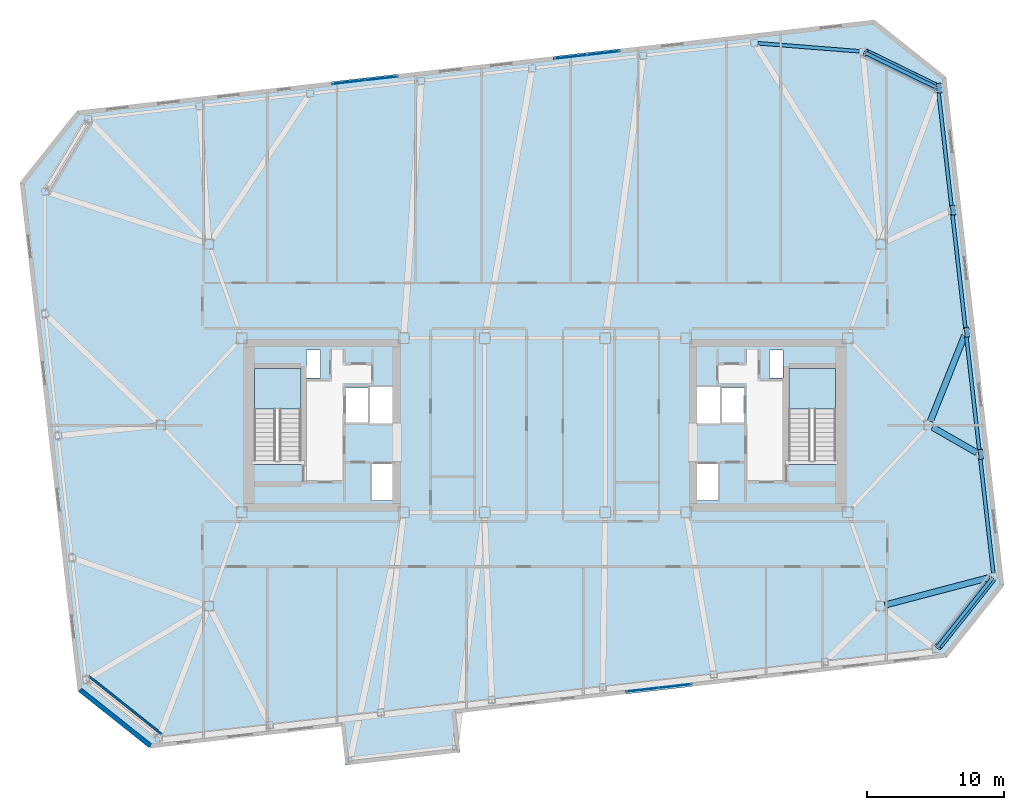
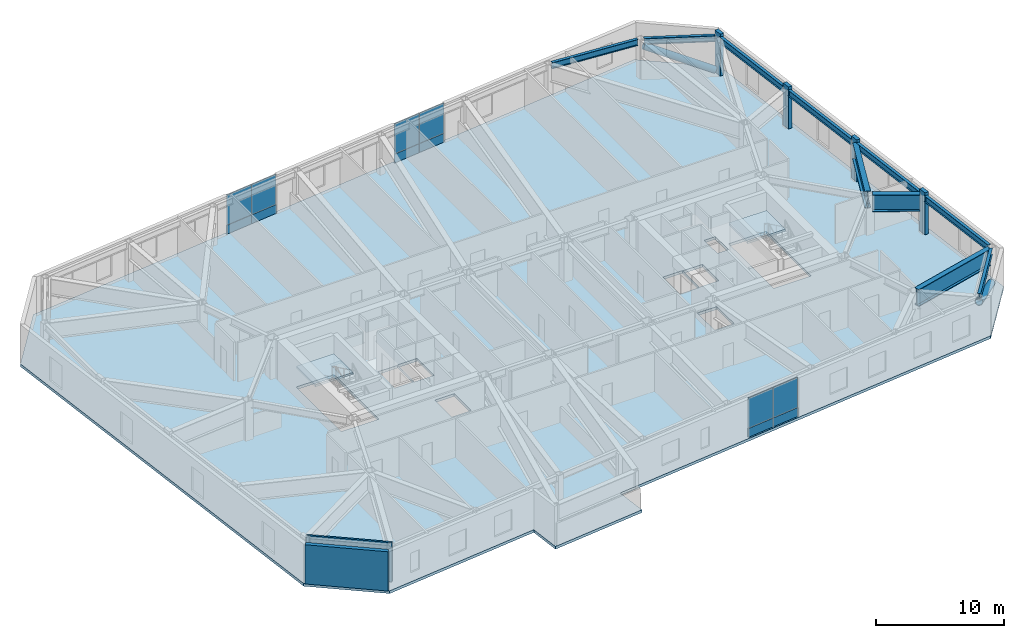
# One storey, part 10 of 18: 12 plates, 10 beams, 6 members, 3 slabs, 2 walls, 5 elements without a shape of their own.
"""IFC4 building model written with IfcOpenShell, lengths in metres."""

from ifc_helpers import new_model, si_unit, direction, frame, frame_2d, origin, origin_2d, place, context, subcontext, project, spatial, polyline, rectangle, hollow_circle, i_section, outline, extrude, material, layer, layer_set, material_profile, profile_set, type_object, element, aggregate, save


model = new_model("IFC4")

# Units and contexts
model_context = context("Model", 3, precision=1e-05, world=origin(), true_north=direction((0.0, 1.0)))
body_context = subcontext(model_context, "Body", "Model", "MODEL_VIEW")
ifc_project = project(units=[si_unit("LENGTHUNIT", "METRE"), si_unit("AREAUNIT", "SQUARE_METRE"), si_unit("VOLUMEUNIT", "CUBIC_METRE"), si_unit("PLANEANGLEUNIT", "RADIAN"), si_unit("MASSUNIT", "GRAM", prefix="KILO")], contexts=[model_context])

# Site, building, storey
site_placement = place(None, origin())
site = spatial("IfcSite", under=ifc_project, at=site_placement, CompositionType="ELEMENT")
building_placement = place(site_placement, origin())
building = spatial("IfcBuilding", under=site, at=building_placement, Name="Tavrogorsk Clinical Tower", CompositionType="ELEMENT")
storey_placement = place(building_placement, frame((0.0, 0.0, 222.199951171875)))
storey = spatial("IfcBuildingStorey", under=building, at=storey_placement, Name="L51", CompositionType="ELEMENT", Elevation=222.199951171875)

# Members
ifc_material_1 = material(Name="Structural steel S440", Category="steel")
ifc_material_profile_1 = material_profile(ifc_material_1, hollow_circle(Radius=0.304931640625, WallThickness=0.02490234375, at=origin_2d()), Name="CHS-610x25")
ifc_profile_set_1 = profile_set([ifc_material_profile_1], Name="Structural steel S440")
member_type_1 = type_object("IfcMemberType", Name="ExoBrace_CHS610", PredefinedType="BRACE", material=ifc_profile_set_1)
member_1_placement = place(storey_placement, frame((32.5859375, -11.2197265625, 0.398193359375), z_axis=(-0.575789482159, -0.723851679348, 0.380138420237), x_axis=(0.782601910855, -0.622522488852, 0.0)))
element("IfcMember", 1, at=member_1_placement, inside=storey, type_object=member_type_1, Name="L51 Corner Exoskeleton Brace S8-E1", PredefinedType="BRACE", context=body_context, shape_type="SweptSolid", body=[
    extrude(hollow_circle(Radius=0.304931640625, WallThickness=0.02490234375, at=origin_2d()), origin(), (0.0, 0.0, 1.0), 6.8232421875),
])
member_2_placement = place(storey_placement, frame((28.46630859375, 24.679443359375, 0.4072265625), z_axis=(-0.817526882464, 0.398699450942, 0.41555811178), x_axis=(-0.438340015424, -0.898809229413, 0.0)))
element("IfcMember", 2, at=member_2_placement, inside=storey, type_object=member_type_1, Name="L51 Corner Exoskeleton Brace E5-N1", PredefinedType="BRACE", context=body_context, shape_type="SweptSolid", body=[
    extrude(hollow_circle(Radius=0.304931640625, WallThickness=0.02490234375, at=origin_2d()), origin(), (0.0, 0.0, 1.0), 6.1982421875),
])
ifc_material_2 = material(Name="Precast concrete B45 with limestone cladding", Category="masonry")
ifc_material_profile_2 = material_profile(ifc_material_2, rectangle(XDim=0.320068359375, YDim=0.719970703125, at=origin_2d()), Name="LIMESTONE-FIN-320x720")
ifc_profile_set_2 = profile_set([ifc_material_profile_2], Name="Precast concrete B45 with limestone cladding")
member_type_2 = type_object("IfcMemberType", Name="LimestonePleatFin_320x720", PredefinedType="USERDEFINED", material=ifc_profile_set_2)
for number, where, z_axis, x_axis, name in (
    (3, (31.799560546875, -2.121337890625, 0.0), (0.0, 0.0, 1.0), (0.993571855677, 0.113203213768, 0.0), "L51 E Pleated Stone Fin 1"),
    (4, (30.785400390625, 6.781005859375, 0.0), (0.0, 0.0, 1.0), (0.993571855677, 0.113203213768, 0.0), "L51 E Pleated Stone Fin 2"),
    (5, (29.77099609375, 15.683349609375, 0.0), (0.0, 0.0, 1.0), (0.993571855677, 0.113203213768, 0.0), "L51 E Pleated Stone Fin 3"),
    (6, (28.756591796875, 24.585693359375, 0.0), (0.0, 0.0, 1.0), (0.993571855677, 0.113203213768, 0.0), "L51 E Pleated Stone Fin 4"),
):
    element("IfcMember", number, at=place(storey_placement, frame(where, z_axis=z_axis, x_axis=x_axis)), inside=storey, type_object=member_type_2, Name=name, ObjectType="FIN", PredefinedType="USERDEFINED", context=body_context, shape_type="SweptSolid", body=[
        extrude(rectangle(XDim=0.320068359375, YDim=0.719970703125, at=origin_2d()), origin(), (0.0, 0.0, 1.0), 4.0),
    ])

# Beams
ifc_material_3 = material(Name="Structural steel S390", Category="steel")
ifc_material_profile_3 = material_profile(ifc_material_3, i_section(OverallWidth=0.260009765625, OverallDepth=0.60009765625, WebThickness=0.014892578125, FlangeThickness=0.02392578125, at=origin_2d()), Name="B-600x260x15x24")
ifc_profile_set_3 = profile_set([ifc_material_profile_3], Name="Structural steel S390")
beam_type_1 = type_object("IfcBeamType", Name="SpandrelBeam_B600", PredefinedType="SPANDREL", material=ifc_profile_set_3)
beam_1_placement = place(storey_placement, frame((28.669189453125, -16.1435546875, 3.43994140625), z_axis=(0.622513813188, 0.782608811853, 0.0), x_axis=(-0.782608811853, 0.622513813188, 0.0)))
element("IfcBeam", 7, at=beam_1_placement, inside=storey, type_object=beam_type_1, Name="L51 Perimeter Spandrel S8-E1", PredefinedType="SPANDREL", context=body_context, shape_type="SweptSolid", body=[
    extrude(i_section(OverallWidth=0.260009765625, OverallDepth=0.60009765625, WebThickness=0.014892578125, FlangeThickness=0.02392578125, at=origin_2d()), origin(), (0.0, 0.0, 1.0), 6.272216796875),
])
for number, where, z_axis, x_axis, name in (
    (8, (32.705078125, -10.776611328125, 3.43994140625), (-0.113191877531, 0.993573147212, 0.0), (-0.993573147212, -0.113191877531, 0.0), "L51 Perimeter Spandrel E1-E2"),
    (9, (31.69091796875, -1.874267578125, 3.43994140625), (-0.113191877531, 0.993573147212, 0.0), (-0.993573147212, -0.113191877531, 0.0), "L51 Perimeter Spandrel E2-E3"),
):
    element("IfcBeam", number, at=place(storey_placement, frame(where, z_axis=z_axis, x_axis=x_axis)), inside=storey, type_object=beam_type_1, Name=name, PredefinedType="SPANDREL", context=body_context, shape_type="SweptSolid", body=[
        extrude(i_section(OverallWidth=0.260009765625, OverallDepth=0.60009765625, WebThickness=0.014892578125, FlangeThickness=0.02392578125, at=origin_2d()), origin(), (0.0, 0.0, 1.0), 8.444091796875),
    ])
for number, where, z_axis, x_axis, name in (
    (10, (30.676513671875, 7.0283203125, 3.43994140625), (-0.113195129234, 0.99357277676, 0.0), (-0.99357277676, -0.113195129234, 0.0), "L51 Perimeter Spandrel E3-E4"),
    (11, (29.662353515625, 15.9306640625, 3.43994140625), (-0.113223671813, 0.993569524563, 0.0), (-0.993569524563, -0.113223671813, 0.0), "L51 Perimeter Spandrel E4-E5"),
):
    element("IfcBeam", number, at=place(storey_placement, frame(where, z_axis=z_axis, x_axis=x_axis)), inside=storey, type_object=beam_type_1, Name=name, PredefinedType="SPANDREL", context=body_context, shape_type="SweptSolid", body=[
        extrude(i_section(OverallWidth=0.260009765625, OverallDepth=0.60009765625, WebThickness=0.014892578125, FlangeThickness=0.02392578125, at=origin_2d()), origin(), (0.0, 0.0, 1.0), 8.44384765625),
    ])
beam_2_placement = place(storey_placement, frame((28.4453125, 24.689697265625, 3.43994140625), z_axis=(-0.898811248667, 0.438335874951, 0.0), x_axis=(-0.438335874951, -0.898811248667, 0.0)))
element("IfcBeam", 12, at=beam_2_placement, inside=storey, type_object=beam_type_1, Name="L51 Perimeter Spandrel E5-N1", PredefinedType="SPANDREL", context=body_context, shape_type="SweptSolid", body=[
    extrude(i_section(OverallWidth=0.260009765625, OverallDepth=0.60009765625, WebThickness=0.014892578125, FlangeThickness=0.02392578125, at=origin_2d()), origin(), (0.0, 0.0, 1.0), 5.5908203125),
])
beam_3_placement = place(storey_placement, frame((22.930908203125, 27.273681640625, 3.43994140625), z_axis=(-0.996881705424, 0.078910489738, 0.0), x_axis=(-0.078910489738, -0.996881705424, 0.0)))
element("IfcBeam", 13, at=beam_3_placement, inside=storey, type_object=beam_type_1, Name="L51 Perimeter Spandrel N1-N2", PredefinedType="SPANDREL", context=body_context, shape_type="SweptSolid", body=[
    extrude(i_section(OverallWidth=0.260009765625, OverallDepth=0.60009765625, WebThickness=0.014892578125, FlangeThickness=0.02392578125, at=origin_2d()), origin(), (0.0, 0.0, 1.0), 7.428466796875),
])
ifc_material_4 = material(Name="Structural steel S440", Category="steel")
ifc_material_profile_4 = material_profile(ifc_material_4, i_section(OverallWidth=0.449951171875, OverallDepth=1.60009765625, WebThickness=0.031982421875, FlangeThickness=0.050048828125, at=origin_2d()), Name="DK-1600x450x32x50")
ifc_profile_set_4 = profile_set([ifc_material_profile_4], Name="Structural steel S440")
beam_type_2 = type_object("IfcBeamType", Name="TransferGirder_DK1600", PredefinedType="USERDEFINED", material=ifc_profile_set_4)
beam_4_placement = place(storey_placement, frame((24.7998046875, -13.12109375, 2.93994140625), z_axis=(0.967072149487, 0.254502372652, 0.0), x_axis=(-0.254502372652, 0.967072149487, 0.0)))
element("IfcBeam", 14, at=beam_4_placement, inside=storey, type_object=beam_type_2, Name="L51 Radial Floor Beam E1", ObjectType="GIRDER", PredefinedType="USERDEFINED", context=body_context, shape_type="SweptSolid", body=[
    extrude(i_section(OverallWidth=0.449951171875, OverallDepth=1.60009765625, WebThickness=0.031982421875, FlangeThickness=0.050048828125, at=origin_2d()), origin(), (0.0, 0.0, 1.0), 7.94677734375),
])
beam_5_placement = place(storey_placement, frame((28.26904296875, -0.154052734375, 2.93994140625), z_axis=(0.867782232017, -0.49694466271, 0.0), x_axis=(0.49694466271, 0.867782232017, 0.0)))
element("IfcBeam", 15, at=beam_5_placement, inside=storey, type_object=beam_type_2, Name="L51 Radial Floor Beam E2", ObjectType="GIRDER", PredefinedType="USERDEFINED", context=body_context, shape_type="SweptSolid", body=[
    extrude(i_section(OverallWidth=0.449951171875, OverallDepth=1.60009765625, WebThickness=0.031982421875, FlangeThickness=0.050048828125, at=origin_2d()), origin(), (0.0, 0.0, 1.0), 3.718994140625),
])
beam_6_placement = place(storey_placement, frame((28.114990234375, 0.287841796875, 2.93994140625), z_axis=(0.371052625529, 0.928611839838, 0.0), x_axis=(-0.928611839838, 0.371052625529, 0.0)))
element("IfcBeam", 16, at=beam_6_placement, inside=storey, type_object=beam_type_2, Name="L51 Radial Floor Beam E3", ObjectType="GIRDER", PredefinedType="USERDEFINED", context=body_context, shape_type="SweptSolid", body=[
    extrude(i_section(OverallWidth=0.449951171875, OverallDepth=1.60009765625, WebThickness=0.031982421875, FlangeThickness=0.050048828125, at=origin_2d()), origin(), (0.0, 0.0, 1.0), 6.724365234375),
])

# Curtain wall, plates
ifc_material_5 = material(Name="Anodised aluminium and triple IGU glazing", Category="aluminium")
ifc_layer_1 = layer(ifc_material_5, 0.179931640625)
ifc_layer_set_1 = layer_set([ifc_layer_1], Name="Anodised aluminium and triple IGU glazing")
curtain_wall_type_1 = type_object("IfcCurtainWallType", Name="CW3_SouthSlot", PredefinedType="NOTDEFINED", material=ifc_layer_set_1)
curtain_wall_1_placement = place(storey_placement, origin())
curtain_wall_1 = element("IfcCurtainWall", 17, at=curtain_wall_1_placement, inside=storey, type_object=curtain_wall_type_1, Name="L51 Curtain Wall CW-L51-S-SLOT-2", PredefinedType="NOTDEFINED")
ifc_material_6 = material(Name="Honed Podolsk limestone spandrel panel", Category="masonry")
ifc_layer_2 = layer(ifc_material_6, 0.080078125)
ifc_layer_set_2 = layer_set([ifc_layer_2], Name="Honed Podolsk limestone spandrel panel")
plate_type_1 = type_object("IfcPlateType", Name="CwSpandrelStonePanel_80", PredefinedType="CURTAIN_PANEL", material=ifc_layer_set_2)
plate_1_placement = place(storey_placement, frame((7.125732421875, -19.294921875, 0.002197265625), z_axis=(0.0, 0.0, 1.0), x_axis=(0.993571855603, 0.11320321441, 0.0)))
plate_1 = element("IfcPlate", 18, at=plate_1_placement, type_object=plate_type_1, Name="CW-L51-S-SLOT-2 Stone Spandrel Panel 1", PredefinedType="CURTAIN_PANEL", context=body_context, shape_type="SweptSolid", body=[
    extrude(rectangle(XDim=2.39208984375, YDim=0.080078125, at=origin_2d()), origin(), (0.0, 0.0, 1.0), 0.8359375),
])
plate_2_placement = place(storey_placement, frame((9.526123046875, -19.021484375, 0.002197265625), z_axis=(0.0, 0.0, 1.0), x_axis=(0.993571855603, 0.11320321441, 0.0)))
plate_2 = element("IfcPlate", 19, at=plate_2_placement, type_object=plate_type_1, Name="CW-L51-S-SLOT-2 Stone Spandrel Panel 2", PredefinedType="CURTAIN_PANEL", context=body_context, shape_type="SweptSolid", body=[
    extrude(rectangle(XDim=2.39208984375, YDim=0.080078125, at=origin_2d()), origin(), (0.0, 0.0, 1.0), 0.8359375),
])

ifc_material_7 = material(Name="Anodised aluminium and triple IGU glazing", Category="aluminium")
ifc_layer_3 = layer(ifc_material_7, 0.179931640625)
ifc_layer_set_3 = layer_set([ifc_layer_3], Name="Anodised aluminium and triple IGU glazing")
curtain_wall_type_2 = type_object("IfcCurtainWallType", Name="CW2_NorthSlot", PredefinedType="NOTDEFINED", material=ifc_layer_set_3)
curtain_wall_2_placement = place(storey_placement, origin())
curtain_wall_2 = element("IfcCurtainWall", 20, at=curtain_wall_2_placement, inside=storey, type_object=curtain_wall_type_2, Name="L51 Curtain Wall CW-L51-N-SLOT-1", PredefinedType="NOTDEFINED")
plate_3_placement = place(storey_placement, frame((-11.92578125, 25.294921875, 0.002197265625), z_axis=(0.0, 0.0, 1.0), x_axis=(-0.993571855603, -0.11320321441, 0.0)))
plate_3 = element("IfcPlate", 21, at=plate_3_placement, type_object=plate_type_1, Name="CW-L51-N-SLOT-1 Stone Spandrel Panel 1", PredefinedType="CURTAIN_PANEL", context=body_context, shape_type="SweptSolid", body=[
    extrude(rectangle(XDim=2.39208984375, YDim=0.080078125, at=origin_2d()), origin(), (0.0, 0.0, 1.0), 0.8359375),
])
plate_4_placement = place(storey_placement, frame((-14.326171875, 25.021484375, 0.002197265625), z_axis=(0.0, 0.0, 1.0), x_axis=(-0.993571855603, -0.11320321441, 0.0)))
plate_4 = element("IfcPlate", 22, at=plate_4_placement, type_object=plate_type_1, Name="CW-L51-N-SLOT-1 Stone Spandrel Panel 2", PredefinedType="CURTAIN_PANEL", context=body_context, shape_type="SweptSolid", body=[
    extrude(rectangle(XDim=2.39208984375, YDim=0.080078125, at=origin_2d()), origin(), (0.0, 0.0, 1.0), 0.8359375),
])

curtain_wall_3_placement = place(storey_placement, origin())
curtain_wall_3 = element("IfcCurtainWall", 23, at=curtain_wall_3_placement, inside=storey, type_object=curtain_wall_type_2, Name="L51 Curtain Wall CW-L51-N-SLOT-2", PredefinedType="NOTDEFINED")
plate_5_placement = place(storey_placement, frame((4.266845703125, 27.139892578125, 0.002197265625), z_axis=(0.0, 0.0, 1.0), x_axis=(-0.993571855603, -0.11320321441, 0.0)))
plate_5 = element("IfcPlate", 24, at=plate_5_placement, type_object=plate_type_1, Name="CW-L51-N-SLOT-2 Stone Spandrel Panel 1", PredefinedType="CURTAIN_PANEL", context=body_context, shape_type="SweptSolid", body=[
    extrude(rectangle(XDim=2.39208984375, YDim=0.080078125, at=origin_2d()), origin(), (0.0, 0.0, 1.0), 0.8359375),
])
plate_6_placement = place(storey_placement, frame((1.8662109375, 26.866455078125, 0.002197265625), z_axis=(0.0, 0.0, 1.0), x_axis=(-0.993571855603, -0.11320321441, 0.0)))
plate_6 = element("IfcPlate", 25, at=plate_6_placement, type_object=plate_type_1, Name="CW-L51-N-SLOT-2 Stone Spandrel Panel 2", PredefinedType="CURTAIN_PANEL", context=body_context, shape_type="SweptSolid", body=[
    extrude(rectangle(XDim=2.39208984375, YDim=0.080078125, at=origin_2d()), origin(), (0.0, 0.0, 1.0), 0.8359375),
])

# Plate
ifc_material_8 = material(Name="Triple low-E argon insulated glass", Category="glass")
ifc_layer_4 = layer(ifc_material_8, 0.048095703125)
ifc_layer_set_4 = layer_set([ifc_layer_4], Name="Triple low-E argon insulated glass")
plate_type_2 = type_object("IfcPlateType", Name="CwVisionGlassPanel_48", PredefinedType="CURTAIN_PANEL", material=ifc_layer_set_4)
plate_7_placement = place(storey_placement, frame((7.125732421875, -19.294921875, 0.862060546875), z_axis=(0.0, 0.0, 1.0), x_axis=(0.993571855603, 0.11320321441, 0.0)))
plate_7 = element("IfcPlate", 26, at=plate_7_placement, type_object=plate_type_2, Name="CW-L51-S-SLOT-2 Glazing Panel 1", PredefinedType="CURTAIN_PANEL", context=body_context, shape_type="SweptSolid", body=[
    extrude(rectangle(XDim=2.39208984375, YDim=0.048095703125, at=origin_2d()), origin(), (0.0, 0.0, 1.0), 2.8759765625),
])

plate_8_placement = place(storey_placement, frame((9.526123046875, -19.021484375, 0.862060546875), z_axis=(0.0, 0.0, 1.0), x_axis=(0.993571855603, 0.11320321441, 0.0)))
plate_8 = element("IfcPlate", 27, at=plate_8_placement, type_object=plate_type_2, Name="CW-L51-S-SLOT-2 Glazing Panel 2", PredefinedType="CURTAIN_PANEL", context=body_context, shape_type="SweptSolid", body=[
    extrude(rectangle(XDim=2.39208984375, YDim=0.048095703125, at=origin_2d()), origin(), (0.0, 0.0, 1.0), 2.8759765625),
])

aggregate(curtain_wall_1, [plate_1, plate_7, plate_2, plate_8])

plate_9_placement = place(storey_placement, frame((-11.92578125, 25.294921875, 0.862060546875), z_axis=(0.0, 0.0, 1.0), x_axis=(-0.993571855603, -0.11320321441, 0.0)))
plate_9 = element("IfcPlate", 28, at=plate_9_placement, type_object=plate_type_2, Name="CW-L51-N-SLOT-1 Glazing Panel 1", PredefinedType="CURTAIN_PANEL", context=body_context, shape_type="SweptSolid", body=[
    extrude(rectangle(XDim=2.39208984375, YDim=0.048095703125, at=origin_2d()), origin(), (0.0, 0.0, 1.0), 2.8759765625),
])

plate_10_placement = place(storey_placement, frame((-14.326171875, 25.021484375, 0.862060546875), z_axis=(0.0, 0.0, 1.0), x_axis=(-0.993571855603, -0.11320321441, 0.0)))
plate_10 = element("IfcPlate", 29, at=plate_10_placement, type_object=plate_type_2, Name="CW-L51-N-SLOT-1 Glazing Panel 2", PredefinedType="CURTAIN_PANEL", context=body_context, shape_type="SweptSolid", body=[
    extrude(rectangle(XDim=2.39208984375, YDim=0.048095703125, at=origin_2d()), origin(), (0.0, 0.0, 1.0), 2.8759765625),
])

aggregate(curtain_wall_2, [plate_3, plate_9, plate_4, plate_10])

plate_11_placement = place(storey_placement, frame((4.266845703125, 27.139892578125, 0.862060546875), z_axis=(0.0, 0.0, 1.0), x_axis=(-0.993571855603, -0.11320321441, 0.0)))
plate_11 = element("IfcPlate", 30, at=plate_11_placement, type_object=plate_type_2, Name="CW-L51-N-SLOT-2 Glazing Panel 1", PredefinedType="CURTAIN_PANEL", context=body_context, shape_type="SweptSolid", body=[
    extrude(rectangle(XDim=2.39208984375, YDim=0.048095703125, at=origin_2d()), origin(), (0.0, 0.0, 1.0), 2.8759765625),
])

plate_12_placement = place(storey_placement, frame((1.8662109375, 26.866455078125, 0.862060546875), z_axis=(0.0, 0.0, 1.0), x_axis=(-0.993571855603, -0.11320321441, 0.0)))
plate_12 = element("IfcPlate", 31, at=plate_12_placement, type_object=plate_type_2, Name="CW-L51-N-SLOT-2 Glazing Panel 2", PredefinedType="CURTAIN_PANEL", context=body_context, shape_type="SweptSolid", body=[
    extrude(rectangle(XDim=2.39208984375, YDim=0.048095703125, at=origin_2d()), origin(), (0.0, 0.0, 1.0), 2.8759765625),
])

aggregate(curtain_wall_3, [plate_5, plate_11, plate_6, plate_12])

# Stair, slab
ifc_material_9 = material(Name="Concrete B60", Category="concrete")
stair_type = type_object("IfcStairType", Name="CoreStairAssembly", PredefinedType="HALF_TURN_STAIR", material=ifc_material_9)
stair_1_placement = place(storey_placement, origin())
stair_1 = element("IfcStair", 32, at=stair_1_placement, inside=storey, type_object=stair_type, Name="L51 ST-W", PredefinedType="HALF_TURN_STAIR")
ifc_material_10 = material(Name="Concrete B60", Category="concrete")
ifc_layer_5 = layer(ifc_material_10, 0.199951171875)
ifc_layer_set_5 = layer_set([ifc_layer_5], Name="Concrete B60")
slab_type_1 = type_object("IfcSlabType", Name="StairLanding_200", PredefinedType="LANDING", material=ifc_layer_set_5)
slab_1_placement = place(storey_placement, frame((0.0, 0.0, 1.800048828125)))
slab_1 = element("IfcSlab", 33, at=slab_1_placement, type_object=slab_type_1, Name="ST-W landing 1", PredefinedType="LANDING", context=body_context, shape_type="SweptSolid", body=[
    extrude(outline(polyline([(-17.800048828125, 1.1650390625), (-17.800048828125, 4.125), (-21.199951171875, 4.125), (-21.199951171875, 1.1650390625), (-17.800048828125, 1.1650390625)])), origin(), (0.0, 0.0, 1.0), 0.199951171875),
])
aggregate(stair_1, [slab_1])

stair_2_placement = place(storey_placement, origin())
stair_2 = element("IfcStair", 34, at=stair_2_placement, inside=storey, type_object=stair_type, Name="L51 ST-E", PredefinedType="HALF_TURN_STAIR")
slab_2_placement = place(storey_placement, frame((0.0, 0.0, 1.800048828125)))
slab_2 = element("IfcSlab", 35, at=slab_2_placement, type_object=slab_type_1, Name="ST-E landing 1", PredefinedType="LANDING", context=body_context, shape_type="SweptSolid", body=[
    extrude(outline(polyline([(21.199951171875, 1.1650390625), (21.199951171875, 4.125), (17.800048828125, 4.125), (17.800048828125, 1.1650390625), (21.199951171875, 1.1650390625)])), origin(), (0.0, 0.0, 1.0), 0.199951171875),
])
aggregate(stair_2, [slab_2])

# Slab
ifc_material_11 = material(Name="Concrete B60", Category="concrete")
ifc_layer_6 = layer(ifc_material_11, 0.260009765625)
ifc_layer_set_6 = layer_set([ifc_layer_6], Name="Concrete B60")
slab_type_2 = type_object("IfcSlabType", Name="WardSlab_260", PredefinedType="FLOOR", material=ifc_layer_set_6)
slab_3_placement = place(storey_placement, frame((0.0, 0.0, -0.260009765625)))
element("IfcSlab", 36, at=slab_3_placement, inside=storey, type_object=slab_type_2, Name="L51 Structural Slab", PredefinedType="FLOOR", context=body_context, shape_type="SweptSolid", body=[
    extrude(outline(polyline([(-28.76318359375, -23.55517578125), (-34.075927734375, -19.329345703125), (-38.287109375, 17.631591796875), (-34.061279296875, 22.944091796875), (23.96337890625, 29.55517578125), (29.27587890625, 25.329345703125), (33.487060546875, -11.631591796875), (29.26123046875, -16.944091796875), (-6.50732421875, -21.019287109375), (-6.184814453125, -23.85107421875), (-14.53076171875, -24.802001953125), (-14.853271484375, -21.97021484375), (-28.76318359375, -23.55517578125)]), holes=[polyline([(-17.800048828125, -2.8798828125), (-17.800048828125, 4.125), (-21.199951171875, 4.125), (-21.199951171875, -2.8798828125), (-17.800048828125, -2.8798828125)]), polyline([(21.199951171875, -2.8798828125), (21.199951171875, 4.125), (17.800048828125, 4.125), (17.800048828125, -2.8798828125), (21.199951171875, -2.8798828125)]), polyline([(-14.6201171875, 0.169921875), (-12.860107421875, 0.169921875), (-12.860107421875, 2.72998046875), (-14.6201171875, 2.72998046875), (-14.6201171875, 0.169921875)]), polyline([(-12.72998046875, -5.47998046875), (-10.969970703125, -5.47998046875), (-10.969970703125, -2.820068359375), (-12.72998046875, -2.820068359375), (-12.72998046875, -5.47998046875)]), polyline([(-12.840087890625, 0.1201171875), (-11.080078125, 0.1201171875), (-11.080078125, 2.780029296875), (-12.840087890625, 2.780029296875), (-12.840087890625, 0.1201171875)]), polyline([(12.860107421875, 0.169921875), (14.6201171875, 0.169921875), (14.6201171875, 2.72998046875), (12.860107421875, 2.72998046875), (12.860107421875, 0.169921875)]), polyline([(10.969970703125, -5.47998046875), (12.72998046875, -5.47998046875), (12.72998046875, -2.820068359375), (10.969970703125, -2.820068359375), (10.969970703125, -5.47998046875)]), polyline([(11.080078125, 0.1201171875), (12.840087890625, 0.1201171875), (12.840087890625, 2.780029296875), (11.080078125, 2.780029296875), (11.080078125, 0.1201171875)]), polyline([(-17.3798828125, 3.449951171875), (-16.3798828125, 3.449951171875), (-16.3798828125, 5.5), (-17.3798828125, 5.5), (-17.3798828125, 3.449951171875)]), polyline([(16.3798828125, 3.449951171875), (17.3798828125, 3.449951171875), (17.3798828125, 5.5), (16.3798828125, 5.5), (16.3798828125, 3.449951171875)])]), origin(), (0.0, 0.0, 1.0), 0.260009765625),
])

# Walls
ifc_material_12 = material(Name="Lightweight concrete blockwork B15", Category="masonry")
ifc_layer_7 = layer(ifc_material_12, 0.159912109375)
ifc_layer_set_7 = layer_set([ifc_layer_7], Name="Lightweight concrete blockwork B15")
wall_type_1 = type_object("IfcWallType", Name="PartitionWall_160", PredefinedType="PARTITIONING", material=ifc_layer_set_7)
wall_1_placement = place(storey_placement, frame((-33.265380859375, -18.310546875, 0.0), z_axis=(0.0, 0.0, 1.0), x_axis=(0.782602647064, -0.622521563328, 0.0)))
element("IfcWall", 37, at=wall_1_placement, inside=storey, type_object=wall_type_1, Name="L51 Corner Exoskeleton Brace Furring Wall 4", PredefinedType="PARTITIONING", context=body_context, shape_type="SweptSolid", body=[
    extrude(rectangle(XDim=6.788330078125, YDim=0.159912109375, at=frame_2d((3.39404296875, 0.0))), origin(), (0.0, 0.0, 1.0), 3.739990234375),
])
ifc_material_13 = material(Name="Precast concrete B45 with limestone cladding", Category="masonry")
ifc_layer_8 = layer(ifc_material_13, 0.340087890625)
ifc_layer_set_8 = layer_set([ifc_layer_8], Name="Precast concrete B45 with limestone cladding")
wall_type_2 = type_object("IfcWallType", Name="PrecastLimestoneWall_340", PredefinedType="STANDARD", material=ifc_layer_set_8)
wall_2_placement = place(storey_placement, frame((-33.906982421875, -19.31005859375, 0.0), z_axis=(0.0, 0.0, 1.0), x_axis=(0.782611787794, -0.622510071892, 0.0)))
element("IfcWall", 38, at=wall_2_placement, inside=storey, type_object=wall_type_2, Name="L51 Chamfered Corner Wall 4", PredefinedType="STANDARD", context=body_context, shape_type="SweptSolid", body=[
    extrude(rectangle(XDim=6.5478515625, YDim=0.340087890625, at=frame_2d((3.27392578125, 0.0))), origin(), (0.0, 0.0, 1.0), 3.739990234375),
])

save(model, "model.ifc")
